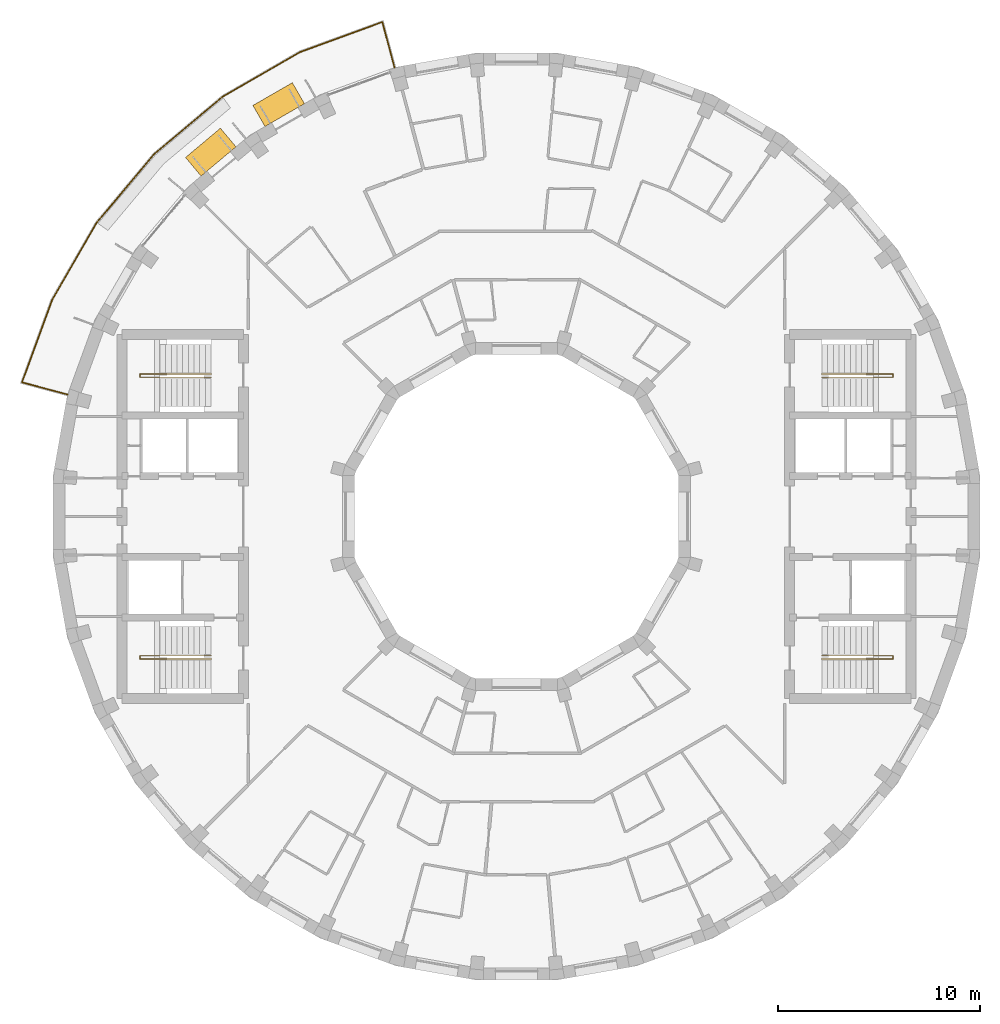
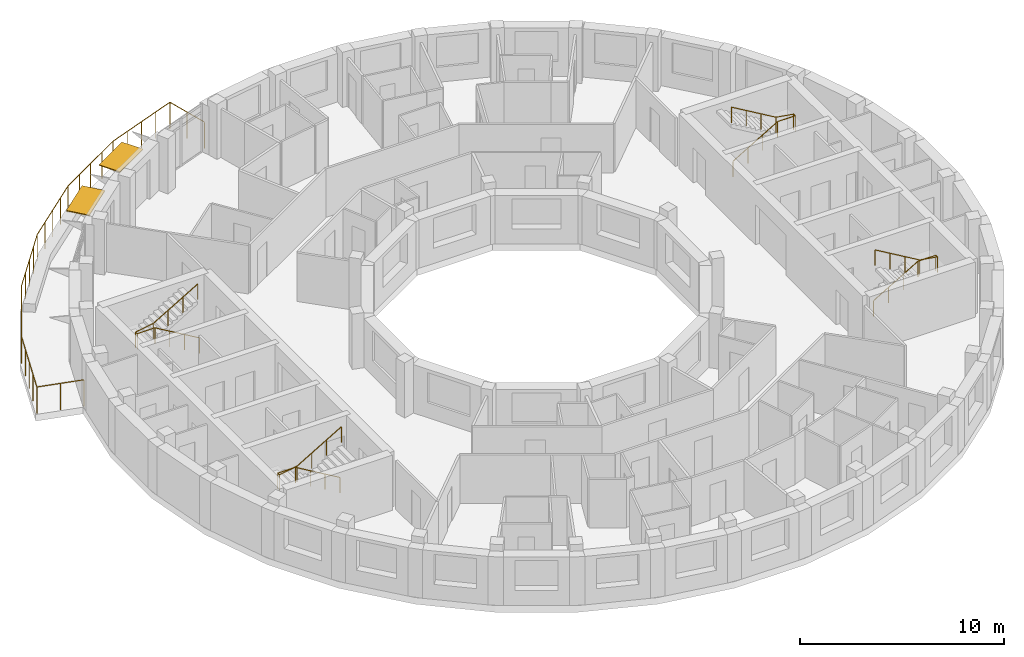
# One storey, part 12 of 12: 5 railings, 2 shading devices.
"""IFC4 building model written with IfcOpenShell, lengths in metres."""

from ifc_helpers import new_model, si_unit, direction, frame, origin, origin_2d, place, context, subcontext, project, spatial, rectangle, circle, extrude, material, layer, layer_set, type_object, element, save


model = new_model("IFC4")

# Units and contexts
model_context = context("Model", 3, precision=1e-05, world=origin(), true_north=direction((0.0, 1.0)))
body_context = subcontext(model_context, "Body", "Model", "MODEL_VIEW")
ifc_project = project(units=[si_unit("LENGTHUNIT", "METRE"), si_unit("AREAUNIT", "SQUARE_METRE"), si_unit("VOLUMEUNIT", "CUBIC_METRE"), si_unit("PLANEANGLEUNIT", "RADIAN"), si_unit("MASSUNIT", "GRAM", prefix="KILO")], contexts=[model_context])

# Site, building, storey
site_placement = place(None, origin())
site = spatial("IfcSite", under=ifc_project, at=site_placement, CompositionType="ELEMENT")
building_placement = place(site_placement, origin())
building = spatial("IfcBuilding", under=site, at=building_placement, Name="Saqina Gate Tower", CompositionType="ELEMENT")
storey_placement = place(building_placement, frame((0.0, 0.0, 233.0)))
storey = spatial("IfcBuildingStorey", under=building, at=storey_placement, Name="L66", CompositionType="ELEMENT", Elevation=233.0)

# Shading devices
ifc_material_1 = material(Name="Aluminium and fabric awning", Category="aluminium")
ifc_layer = layer(ifc_material_1, 0.050048828125)
ifc_layer_set = layer_set([ifc_layer], Name="AW-TERRACE")
shading_device_type = type_object("IfcShadingDeviceType", Name="AW-TERRACE", PredefinedType="AWNING", material=ifc_layer_set)
for number, where, z_axis, x_axis, name in (
    (1, (-11.756103515625, 20.3623046875, 2.52490234375), (0.0, 0.0, 1.0), (-0.866025403784, -0.5, 0.0), "Terrace awning L66 facet 12"),
    (2, (-15.113525390625, 18.01171875, 2.52490234375), (0.0, 0.0, 1.0), (-0.766044443119, -0.642787609687, 0.0), "Terrace awning L66 facet 13"),
):
    element("IfcShadingDevice", number, at=place(storey_placement, frame(where, z_axis=z_axis, x_axis=x_axis)), inside=storey, type_object=shading_device_type, Name=name, PredefinedType="AWNING", context=body_context, shape_type="SweptSolid", body=[
        extrude(rectangle(XDim=2.251708984375, YDim=1.199951171875, at=origin_2d()), origin(), (0.0, 0.0, 1.0), 0.050048828125),
    ])

# Railings
ifc_material_2 = material(Name="Stainless steel", Category="steel")
railing_type_1 = type_object("IfcRailingType", Name="RL-TERRACE", PredefinedType="GUARDRAIL", material=ifc_material_2)
railing_1_placement = place(storey_placement, frame((-6.0146484375, 22.1376953125, 0.0)))
element("IfcRailing", 3, at=railing_1_placement, inside=storey, type_object=railing_type_1, Name="Terrace guard L66", PredefinedType="GUARDRAIL", context=body_context, shape_type="SweptSolid", body=[
    extrude(circle(Radius=0.02392578125, at=origin_2d()), frame((0.0, 0.0, 1.576171875), z_axis=(-0.25878206332, 0.965935734769, 0.0), x_axis=(-0.965935734769, -0.25878206332, 0.0)), (0.0, 0.0, 1.0), 2.388671875),
    extrude(circle(Radius=0.02392578125, at=origin_2d()), frame((-0.6181640625, 2.307373046875, 1.576171875), z_axis=(-0.939147224879, -0.343514905065, 0.0), x_axis=(0.343514905065, -0.939147224879, 0.0)), (0.0, 0.0, 1.0), 4.33544921875),
    extrude(circle(Radius=0.02392578125, at=origin_2d()), frame((-4.689697265625, 0.818115234375, 1.576171875), z_axis=(-0.866036415623, -0.49998092645, 0.0), x_axis=(0.49998092645, -0.866036415623, 0.0)), (0.0, 0.0, 1.0), 4.415283203125),
    extrude(circle(Radius=0.02392578125, at=origin_2d()), frame((-8.513427734375, -1.389404296875, 1.576171875), z_axis=(-0.766018499335, -0.642818527017, 0.0), x_axis=(0.642818527017, -0.766018499335, 0.0)), (0.0, 0.0, 1.0), 4.4150390625),
    extrude(circle(Radius=0.02392578125, at=origin_2d()), frame((-11.8955078125, -4.2275390625, 1.576171875), z_axis=(-0.642818527017, -0.766018499335, 0.0), x_axis=(0.766018499335, -0.642818527017, 0.0)), (0.0, 0.0, 1.0), 4.4150390625),
    extrude(circle(Radius=0.02392578125, at=origin_2d()), frame((-14.733642578125, -7.609619140625, 1.576171875), z_axis=(-0.49998092645, -0.866036415623, 0.0), x_axis=(0.866036415623, -0.49998092645, 0.0)), (0.0, 0.0, 1.0), 4.415283203125),
    extrude(circle(Radius=0.02392578125, at=origin_2d()), frame((-16.941162109375, -11.433349609375, 1.576171875), z_axis=(-0.343514905065, -0.939147224879, 0.0), x_axis=(0.939147224879, -0.343514905065, 0.0)), (0.0, 0.0, 1.0), 4.33544921875),
    extrude(circle(Radius=0.02392578125, at=origin_2d()), frame((-18.430419921875, -15.5048828125, 1.576171875), z_axis=(0.965935734769, -0.25878206332, 0.0), x_axis=(0.25878206332, 0.965935734769, 0.0)), (0.0, 0.0, 1.0), 2.388671875),
    extrude(circle(Radius=0.02099609375, at=origin_2d()), origin(), (0.0, 0.0, 1.0), 1.552001953125),
    extrude(circle(Radius=0.02099609375, at=origin_2d()), frame((-0.30908203125, 1.15380859375, 0.0)), (0.0, 0.0, 1.0), 1.552001953125),
    extrude(circle(Radius=0.02099609375, at=origin_2d()), frame((-0.6181640625, 2.307373046875, 0.0)), (0.0, 0.0, 1.0), 1.552001953125),
    extrude(circle(Radius=0.02099609375, at=origin_2d()), frame((-1.635986328125, 1.93505859375, 0.0)), (0.0, 0.0, 1.0), 1.552001953125),
    extrude(circle(Radius=0.02099609375, at=origin_2d()), frame((-2.65380859375, 1.562744140625, 0.0)), (0.0, 0.0, 1.0), 1.552001953125),
    extrude(circle(Radius=0.02099609375, at=origin_2d()), frame((-3.671875, 1.1904296875, 0.0)), (0.0, 0.0, 1.0), 1.552001953125),
    extrude(circle(Radius=0.02099609375, at=origin_2d()), frame((-4.689697265625, 0.818115234375, 0.0)), (0.0, 0.0, 1.0), 1.552001953125),
    extrude(circle(Radius=0.02099609375, at=origin_2d()), frame((-5.6455078125, 0.26611328125, 0.0)), (0.0, 0.0, 1.0), 1.552001953125),
    extrude(circle(Radius=0.02099609375, at=origin_2d()), frame((-6.6015625, -0.28564453125, 0.0)), (0.0, 0.0, 1.0), 1.552001953125),
    extrude(circle(Radius=0.02099609375, at=origin_2d()), frame((-7.5576171875, -0.83740234375, 0.0)), (0.0, 0.0, 1.0), 1.552001953125),
    extrude(circle(Radius=0.02099609375, at=origin_2d()), frame((-8.513427734375, -1.389404296875, 0.0)), (0.0, 0.0, 1.0), 1.552001953125),
    extrude(circle(Radius=0.02099609375, at=origin_2d()), frame((-9.35888671875, -2.098876953125, 0.0)), (0.0, 0.0, 1.0), 1.552001953125),
    extrude(circle(Radius=0.02099609375, at=origin_2d()), frame((-10.20458984375, -2.80859375, 0.0)), (0.0, 0.0, 1.0), 1.552001953125),
    extrude(circle(Radius=0.02099609375, at=origin_2d()), frame((-11.050048828125, -3.51806640625, 0.0)), (0.0, 0.0, 1.0), 1.552001953125),
    extrude(circle(Radius=0.02099609375, at=origin_2d()), frame((-11.8955078125, -4.2275390625, 0.0)), (0.0, 0.0, 1.0), 1.552001953125),
    extrude(circle(Radius=0.02099609375, at=origin_2d()), frame((-12.60498046875, -5.072998046875, 0.0)), (0.0, 0.0, 1.0), 1.552001953125),
    extrude(circle(Radius=0.02099609375, at=origin_2d()), frame((-13.314453125, -5.91845703125, 0.0)), (0.0, 0.0, 1.0), 1.552001953125),
    extrude(circle(Radius=0.02099609375, at=origin_2d()), frame((-14.024169921875, -6.76416015625, 0.0)), (0.0, 0.0, 1.0), 1.552001953125),
    extrude(circle(Radius=0.02099609375, at=origin_2d()), frame((-14.733642578125, -7.609619140625, 0.0)), (0.0, 0.0, 1.0), 1.552001953125),
    extrude(circle(Radius=0.02099609375, at=origin_2d()), frame((-15.28564453125, -8.5654296875, 0.0)), (0.0, 0.0, 1.0), 1.552001953125),
    extrude(circle(Radius=0.02099609375, at=origin_2d()), frame((-15.83740234375, -9.521484375, 0.0)), (0.0, 0.0, 1.0), 1.552001953125),
    extrude(circle(Radius=0.02099609375, at=origin_2d()), frame((-16.38916015625, -10.4775390625, 0.0)), (0.0, 0.0, 1.0), 1.552001953125),
    extrude(circle(Radius=0.02099609375, at=origin_2d()), frame((-16.941162109375, -11.433349609375, 0.0)), (0.0, 0.0, 1.0), 1.552001953125),
    extrude(circle(Radius=0.02099609375, at=origin_2d()), frame((-17.3134765625, -12.451171875, 0.0)), (0.0, 0.0, 1.0), 1.552001953125),
    extrude(circle(Radius=0.02099609375, at=origin_2d()), frame((-17.685791015625, -13.46923828125, 0.0)), (0.0, 0.0, 1.0), 1.552001953125),
    extrude(circle(Radius=0.02099609375, at=origin_2d()), frame((-18.05810546875, -14.487060546875, 0.0)), (0.0, 0.0, 1.0), 1.552001953125),
    extrude(circle(Radius=0.02099609375, at=origin_2d()), frame((-18.430419921875, -15.5048828125, 0.0)), (0.0, 0.0, 1.0), 1.552001953125),
    extrude(circle(Radius=0.02099609375, at=origin_2d()), frame((-17.27685546875, -15.81396484375, 0.0)), (0.0, 0.0, 1.0), 1.552001953125),
    extrude(circle(Radius=0.02099609375, at=origin_2d()), frame((-16.123046875, -16.123046875, 0.0)), (0.0, 0.0, 1.0), 1.552001953125),
])
ifc_material_3 = material(Name="Stainless steel", Category="steel")
railing_type_2 = type_object("IfcRailingType", Name="STAIR HANDRAIL", PredefinedType="HANDRAIL", material=ifc_material_3)
railing_2_placement = place(storey_placement, frame((15.10009765625, 6.88330078125, 0.1650390625)))
element("IfcRailing", 4, at=railing_2_placement, inside=storey, type_object=railing_type_2, Name="EXIT STAIR 1 HANDRAIL", PredefinedType="HANDRAIL", context=body_context, shape_type="SweptSolid", body=[
    extrude(circle(Radius=0.02392578125, at=origin_2d()), frame((0.0, 0.0, 0.92578125), z_axis=(0.861560626758, 0.0, 0.507654692109), x_axis=(0.0, 1.0, 0.0)), (0.0, 0.0, 1.0), 2.925048828125),
    extrude(circle(Radius=0.02392578125, at=origin_2d()), frame((2.52001953125, 0.0, 2.41064453125), z_axis=(1.0, 0.0, 0.0), x_axis=(0.0, 1.0, 0.0)), (0.0, 0.0, 1.0), 1.0),
    extrude(circle(Radius=0.02392578125, at=origin_2d()), frame((3.52001953125, 0.0, 2.41064453125), z_axis=(0.0, 1.0, 0.0), x_axis=(-1.0, 0.0, 0.0)), (0.0, 0.0, 1.0), 0.158447265625),
    extrude(circle(Radius=0.02392578125, at=origin_2d()), frame((3.52001953125, 0.158447265625, 2.41064453125), z_axis=(-0.98665309941, 0.0, 0.162836302539), x_axis=(0.0, -1.0, 0.0)), (0.0, 0.0, 1.0), 1.013427734375),
    extrude(circle(Radius=0.02392578125, at=origin_2d()), frame((2.52001953125, 0.158447265625, 2.57568359375), z_axis=(-0.86152411907, 0.0, 0.507716645641), x_axis=(0.0, -1.0, 0.0)), (0.0, 0.0, 1.0), 2.925048828125),
    extrude(circle(Radius=0.02099609375, at=origin_2d()), origin(), (0.0, 0.0, 1.0), 0.90185546875),
    extrude(circle(Radius=0.02099609375, at=origin_2d()), frame((0.840087890625, 0.0, 0.494873046875)), (0.0, 0.0, 1.0), 0.90185546875),
    extrude(circle(Radius=0.02099609375, at=origin_2d()), frame((1.679931640625, 0.0, 0.989990234375)), (0.0, 0.0, 1.0), 0.90185546875),
    extrude(circle(Radius=0.02099609375, at=origin_2d()), frame((2.52001953125, 0.0, 1.48486328125)), (0.0, 0.0, 1.0), 0.90185546875),
    extrude(circle(Radius=0.02099609375, at=origin_2d()), frame((3.52001953125, 0.0, 1.48486328125)), (0.0, 0.0, 1.0), 0.90185546875),
    extrude(circle(Radius=0.02099609375, at=origin_2d()), frame((3.52001953125, 0.158447265625, 1.48486328125)), (0.0, 0.0, 1.0), 0.90185546875),
    extrude(circle(Radius=0.02099609375, at=origin_2d()), frame((2.52001953125, 0.158447265625, 1.64990234375)), (0.0, 0.0, 1.0), 0.90185546875),
    extrude(circle(Radius=0.02099609375, at=origin_2d()), frame((1.679931640625, 0.158447265625, 2.14501953125)), (0.0, 0.0, 1.0), 0.90185546875),
    extrude(circle(Radius=0.02099609375, at=origin_2d()), frame((0.840087890625, 0.158447265625, 2.639892578125)), (0.0, 0.0, 1.0), 0.90185546875),
    extrude(circle(Radius=0.02099609375, at=origin_2d()), frame((0.0, 0.158447265625, 3.135009765625)), (0.0, 0.0, 1.0), 0.90185546875),
])
railing_3_placement = place(storey_placement, frame((15.10009765625, -6.88330078125, 0.1650390625)))
element("IfcRailing", 5, at=railing_3_placement, inside=storey, type_object=railing_type_2, Name="EXIT STAIR 2 HANDRAIL", PredefinedType="HANDRAIL", context=body_context, shape_type="SweptSolid", body=[
    extrude(circle(Radius=0.02392578125, at=origin_2d()), frame((0.0, 0.0, 0.92578125), z_axis=(0.861560626758, 0.0, 0.507654692109), x_axis=(0.0, 1.0, 0.0)), (0.0, 0.0, 1.0), 2.925048828125),
    extrude(circle(Radius=0.02392578125, at=origin_2d()), frame((2.52001953125, 0.0, 2.41064453125), z_axis=(1.0, 0.0, 0.0), x_axis=(0.0, 1.0, 0.0)), (0.0, 0.0, 1.0), 1.0),
    extrude(circle(Radius=0.02392578125, at=origin_2d()), frame((3.52001953125, 0.0, 2.41064453125), z_axis=(0.0, -1.0, 0.0), x_axis=(1.0, 0.0, 0.0)), (0.0, 0.0, 1.0), 0.158447265625),
    extrude(circle(Radius=0.02392578125, at=origin_2d()), frame((3.52001953125, -0.158447265625, 2.41064453125), z_axis=(-0.98665309941, 0.0, 0.162836302539), x_axis=(0.0, -1.0, 0.0)), (0.0, 0.0, 1.0), 1.013427734375),
    extrude(circle(Radius=0.02392578125, at=origin_2d()), frame((2.52001953125, -0.158447265625, 2.57568359375), z_axis=(-0.86152411907, 0.0, 0.507716645641), x_axis=(0.0, -1.0, 0.0)), (0.0, 0.0, 1.0), 2.925048828125),
    extrude(circle(Radius=0.02099609375, at=origin_2d()), origin(), (0.0, 0.0, 1.0), 0.90185546875),
    extrude(circle(Radius=0.02099609375, at=origin_2d()), frame((0.840087890625, 0.0, 0.494873046875)), (0.0, 0.0, 1.0), 0.90185546875),
    extrude(circle(Radius=0.02099609375, at=origin_2d()), frame((1.679931640625, 0.0, 0.989990234375)), (0.0, 0.0, 1.0), 0.90185546875),
    extrude(circle(Radius=0.02099609375, at=origin_2d()), frame((2.52001953125, 0.0, 1.48486328125)), (0.0, 0.0, 1.0), 0.90185546875),
    extrude(circle(Radius=0.02099609375, at=origin_2d()), frame((3.52001953125, 0.0, 1.48486328125)), (0.0, 0.0, 1.0), 0.90185546875),
    extrude(circle(Radius=0.02099609375, at=origin_2d()), frame((3.52001953125, -0.158447265625, 1.48486328125)), (0.0, 0.0, 1.0), 0.90185546875),
    extrude(circle(Radius=0.02099609375, at=origin_2d()), frame((2.52001953125, -0.158447265625, 1.64990234375)), (0.0, 0.0, 1.0), 0.90185546875),
    extrude(circle(Radius=0.02099609375, at=origin_2d()), frame((1.679931640625, -0.158447265625, 2.14501953125)), (0.0, 0.0, 1.0), 0.90185546875),
    extrude(circle(Radius=0.02099609375, at=origin_2d()), frame((0.840087890625, -0.158447265625, 2.639892578125)), (0.0, 0.0, 1.0), 0.90185546875),
    extrude(circle(Radius=0.02099609375, at=origin_2d()), frame((0.0, -0.158447265625, 3.135009765625)), (0.0, 0.0, 1.0), 0.90185546875),
])
railing_4_placement = place(storey_placement, frame((-15.10009765625, 6.88330078125, 0.1650390625)))
element("IfcRailing", 6, at=railing_4_placement, inside=storey, type_object=railing_type_2, Name="EXIT STAIR 3 HANDRAIL", PredefinedType="HANDRAIL", context=body_context, shape_type="SweptSolid", body=[
    extrude(circle(Radius=0.02392578125, at=origin_2d()), frame((0.0, 0.0, 0.92578125), z_axis=(-0.861560626758, 0.0, 0.507654692109), x_axis=(0.0, -1.0, 0.0)), (0.0, 0.0, 1.0), 2.925048828125),
    extrude(circle(Radius=0.02392578125, at=origin_2d()), frame((-2.52001953125, 0.0, 2.41064453125), z_axis=(-1.0, 0.0, 0.0), x_axis=(0.0, -1.0, 0.0)), (0.0, 0.0, 1.0), 1.0),
    extrude(circle(Radius=0.02392578125, at=origin_2d()), frame((-3.52001953125, 0.0, 2.41064453125), z_axis=(0.0, 1.0, 0.0), x_axis=(-1.0, 0.0, 0.0)), (0.0, 0.0, 1.0), 0.158447265625),
    extrude(circle(Radius=0.02392578125, at=origin_2d()), frame((-3.52001953125, 0.158447265625, 2.41064453125), z_axis=(0.98665309941, 0.0, 0.162836302539), x_axis=(0.0, 1.0, 0.0)), (0.0, 0.0, 1.0), 1.013427734375),
    extrude(circle(Radius=0.02392578125, at=origin_2d()), frame((-2.52001953125, 0.158447265625, 2.57568359375), z_axis=(0.86152411907, 0.0, 0.507716645641), x_axis=(0.0, 1.0, 0.0)), (0.0, 0.0, 1.0), 2.925048828125),
    extrude(circle(Radius=0.02099609375, at=origin_2d()), origin(), (0.0, 0.0, 1.0), 0.90185546875),
    extrude(circle(Radius=0.02099609375, at=origin_2d()), frame((-0.840087890625, 0.0, 0.494873046875)), (0.0, 0.0, 1.0), 0.90185546875),
    extrude(circle(Radius=0.02099609375, at=origin_2d()), frame((-1.679931640625, 0.0, 0.989990234375)), (0.0, 0.0, 1.0), 0.90185546875),
    extrude(circle(Radius=0.02099609375, at=origin_2d()), frame((-2.52001953125, 0.0, 1.48486328125)), (0.0, 0.0, 1.0), 0.90185546875),
    extrude(circle(Radius=0.02099609375, at=origin_2d()), frame((-3.52001953125, 0.0, 1.48486328125)), (0.0, 0.0, 1.0), 0.90185546875),
    extrude(circle(Radius=0.02099609375, at=origin_2d()), frame((-3.52001953125, 0.158447265625, 1.48486328125)), (0.0, 0.0, 1.0), 0.90185546875),
    extrude(circle(Radius=0.02099609375, at=origin_2d()), frame((-2.52001953125, 0.158447265625, 1.64990234375)), (0.0, 0.0, 1.0), 0.90185546875),
    extrude(circle(Radius=0.02099609375, at=origin_2d()), frame((-1.679931640625, 0.158447265625, 2.14501953125)), (0.0, 0.0, 1.0), 0.90185546875),
    extrude(circle(Radius=0.02099609375, at=origin_2d()), frame((-0.840087890625, 0.158447265625, 2.639892578125)), (0.0, 0.0, 1.0), 0.90185546875),
    extrude(circle(Radius=0.02099609375, at=origin_2d()), frame((0.0, 0.158447265625, 3.135009765625)), (0.0, 0.0, 1.0), 0.90185546875),
])
railing_5_placement = place(storey_placement, frame((-15.10009765625, -6.88330078125, 0.1650390625)))
element("IfcRailing", 7, at=railing_5_placement, inside=storey, type_object=railing_type_2, Name="EXIT STAIR 4 HANDRAIL", PredefinedType="HANDRAIL", context=body_context, shape_type="SweptSolid", body=[
    extrude(circle(Radius=0.02392578125, at=origin_2d()), frame((0.0, 0.0, 0.92578125), z_axis=(-0.861560626758, 0.0, 0.507654692109), x_axis=(0.0, -1.0, 0.0)), (0.0, 0.0, 1.0), 2.925048828125),
    extrude(circle(Radius=0.02392578125, at=origin_2d()), frame((-2.52001953125, 0.0, 2.41064453125), z_axis=(-1.0, 0.0, 0.0), x_axis=(0.0, -1.0, 0.0)), (0.0, 0.0, 1.0), 1.0),
    extrude(circle(Radius=0.02392578125, at=origin_2d()), frame((-3.52001953125, 0.0, 2.41064453125), z_axis=(0.0, -1.0, 0.0), x_axis=(1.0, 0.0, 0.0)), (0.0, 0.0, 1.0), 0.158447265625),
    extrude(circle(Radius=0.02392578125, at=origin_2d()), frame((-3.52001953125, -0.158447265625, 2.41064453125), z_axis=(0.98665309941, 0.0, 0.162836302539), x_axis=(0.0, 1.0, 0.0)), (0.0, 0.0, 1.0), 1.013427734375),
    extrude(circle(Radius=0.02392578125, at=origin_2d()), frame((-2.52001953125, -0.158447265625, 2.57568359375), z_axis=(0.86152411907, 0.0, 0.507716645641), x_axis=(0.0, 1.0, 0.0)), (0.0, 0.0, 1.0), 2.925048828125),
    extrude(circle(Radius=0.02099609375, at=origin_2d()), origin(), (0.0, 0.0, 1.0), 0.90185546875),
    extrude(circle(Radius=0.02099609375, at=origin_2d()), frame((-0.840087890625, 0.0, 0.494873046875)), (0.0, 0.0, 1.0), 0.90185546875),
    extrude(circle(Radius=0.02099609375, at=origin_2d()), frame((-1.679931640625, 0.0, 0.989990234375)), (0.0, 0.0, 1.0), 0.90185546875),
    extrude(circle(Radius=0.02099609375, at=origin_2d()), frame((-2.52001953125, 0.0, 1.48486328125)), (0.0, 0.0, 1.0), 0.90185546875),
    extrude(circle(Radius=0.02099609375, at=origin_2d()), frame((-3.52001953125, 0.0, 1.48486328125)), (0.0, 0.0, 1.0), 0.90185546875),
    extrude(circle(Radius=0.02099609375, at=origin_2d()), frame((-3.52001953125, -0.158447265625, 1.48486328125)), (0.0, 0.0, 1.0), 0.90185546875),
    extrude(circle(Radius=0.02099609375, at=origin_2d()), frame((-2.52001953125, -0.158447265625, 1.64990234375)), (0.0, 0.0, 1.0), 0.90185546875),
    extrude(circle(Radius=0.02099609375, at=origin_2d()), frame((-1.679931640625, -0.158447265625, 2.14501953125)), (0.0, 0.0, 1.0), 0.90185546875),
    extrude(circle(Radius=0.02099609375, at=origin_2d()), frame((-0.840087890625, -0.158447265625, 2.639892578125)), (0.0, 0.0, 1.0), 0.90185546875),
    extrude(circle(Radius=0.02099609375, at=origin_2d()), frame((0.0, -0.158447265625, 3.135009765625)), (0.0, 0.0, 1.0), 0.90185546875),
])

save(model, "model.ifc")
